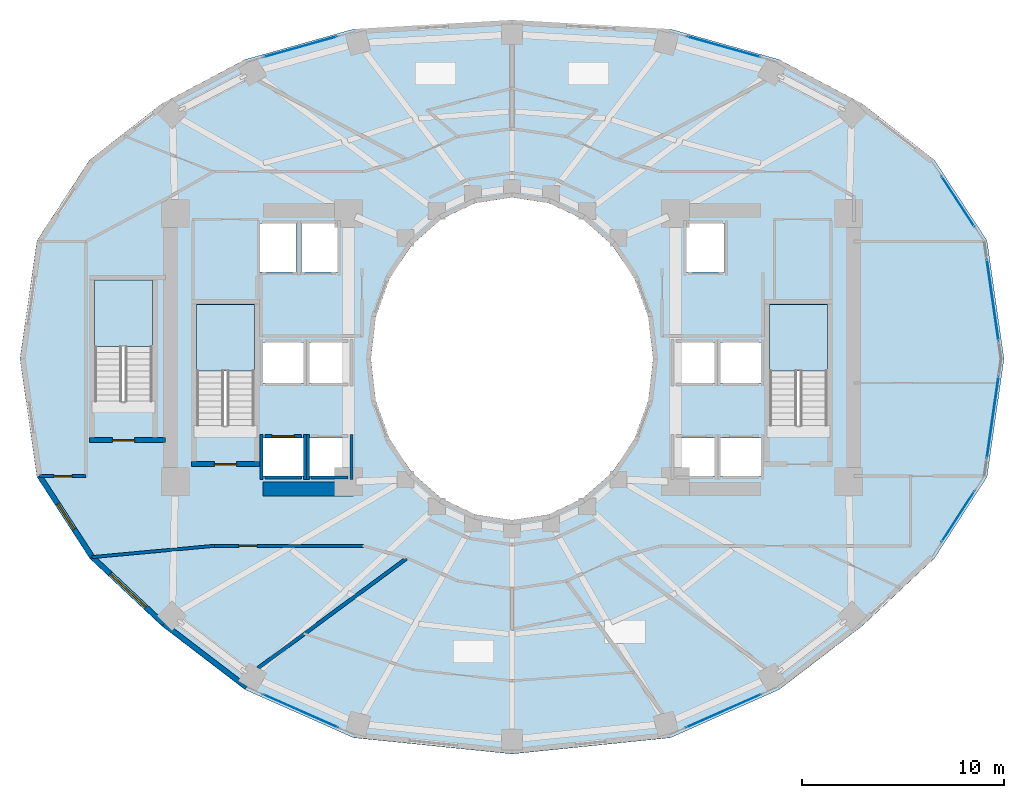
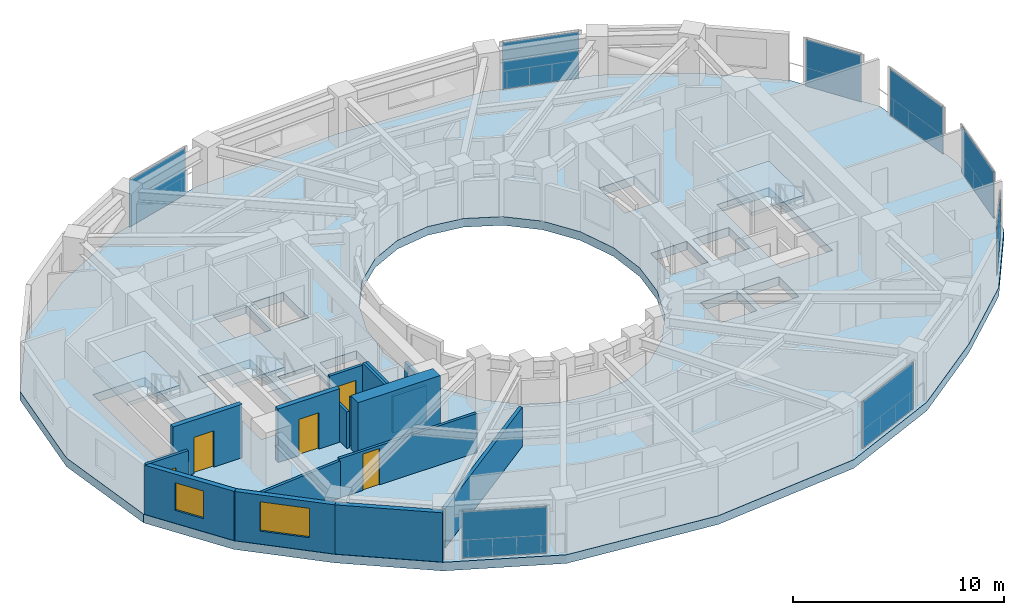
# One storey, part 10 of 18: 17 walls, 8 plates, 5 doors, 4 slabs, 2 windows, 7 openings, 11 elements without a shape of their own.
"""IFC4 building model written with IfcOpenShell, lengths in metres."""

from ifc_helpers import new_model, si_unit, direction, frame, frame_2d, origin, origin_2d, place, context, subcontext, project, spatial, polyline, rectangle, outline, extrude, material, layer, layer_set, type_object, element, fill, aggregate, save


model = new_model("IFC4")

# Units and contexts
model_context = context("Model", 3, precision=1e-05, world=origin(), true_north=direction((0.0, 1.0)))
body_context = subcontext(model_context, "Body", "Model", "MODEL_VIEW")
ifc_project = project(units=[si_unit("LENGTHUNIT", "METRE"), si_unit("AREAUNIT", "SQUARE_METRE"), si_unit("VOLUMEUNIT", "CUBIC_METRE"), si_unit("PLANEANGLEUNIT", "RADIAN"), si_unit("MASSUNIT", "GRAM", prefix="KILO")], contexts=[model_context])

# Site, building, storey
site_placement = place(None, origin())
site = spatial("IfcSite", under=ifc_project, at=site_placement, CompositionType="ELEMENT")
building_placement = place(site_placement, origin())
building = spatial("IfcBuilding", under=site, at=building_placement, Name="Solvane Sanctuary Tower", CompositionType="ELEMENT")
storey_placement = place(building_placement, frame((0.0, 0.0, 94.89990234375)))
storey = spatial("IfcBuildingStorey", under=building, at=storey_placement, Name="L28", CompositionType="ELEMENT", Elevation=94.89990234375)

# Curtain wall, plate
ifc_material_1 = material(Name="Anodised Aluminium 6063-T6", Category="aluminium")
ifc_layer_1 = layer(ifc_material_1, 0.2099609375, Name="Anodised Aluminium 6063-T6")
ifc_layer_set_1 = layer_set([ifc_layer_1], Name="Anodised Aluminium 6063-T6")
curtain_wall_type_1 = type_object("IfcCurtainWallType", Name="Curtain Wall CW-PORTAL", PredefinedType="NOTDEFINED", material=ifc_layer_set_1)
curtain_wall_1_placement = place(storey_placement, origin())
curtain_wall_1 = element("IfcCurtainWall", 1, at=curtain_wall_1_placement, inside=storey, type_object=curtain_wall_type_1, Name="L28 CW-PORTAL Facade Run 00", PredefinedType="NOTDEFINED")
ifc_material_2 = material(Name="Dark Ceramic-Fritted Low-E Glass", Category="glass")
ifc_layer_2 = layer(ifc_material_2, 0.031982421875, Name="Dark Ceramic-Fritted Low-E Glass")
ifc_layer_set_2 = layer_set([ifc_layer_2], Name="Dark Ceramic-Fritted Low-E Glass")
plate_type = type_object("IfcPlateType", Name="Plate PN-FRIT-VIS", PredefinedType="CURTAIN_PANEL", material=ifc_layer_set_2)
plate_1_placement = place(storey_placement, frame((55.8408203125, 25.909423828125, 0.065185546875), z_axis=(0.0, 0.0, 1.0), x_axis=(-0.142587151113, 0.989782250971, 0.0)))
plate_1 = element("IfcPlate", 2, at=plate_1_placement, type_object=plate_type, Name="CW-PORTAL panel 1.1", PredefinedType="CURTAIN_PANEL", context=body_context, shape_type="SweptSolid", body=[
    extrude(rectangle(XDim=4.0888671875, YDim=0.031982421875, at=origin_2d()), origin(), (0.0, 0.0, 1.0), 2.7099609375),
])
aggregate(curtain_wall_1, [plate_1])

curtain_wall_2_placement = place(storey_placement, origin())
curtain_wall_2 = element("IfcCurtainWall", 3, at=curtain_wall_2_placement, inside=storey, type_object=curtain_wall_type_1, Name="L28 CW-PORTAL Facade Run 01", PredefinedType="NOTDEFINED")
plate_2_placement = place(storey_placement, frame((54.12109375, 30.802490234375, 0.065185546875), z_axis=(0.0, 0.0, 1.0), x_axis=(-0.548275714249, 0.8362976391, 0.0)))
plate_2 = element("IfcPlate", 4, at=plate_2_placement, type_object=plate_type, Name="CW-PORTAL panel 1.1", PredefinedType="CURTAIN_PANEL", context=body_context, shape_type="SweptSolid", body=[
    extrude(rectangle(XDim=2.954345703125, YDim=0.031982421875, at=origin_2d()), origin(), (0.0, 0.0, 1.0), 2.7099609375),
])
aggregate(curtain_wall_2, [plate_2])

ifc_layer_3 = layer(ifc_material_1, 0.179931640625, Name="Anodised Aluminium 6063-T6")
ifc_layer_set_3 = layer_set([ifc_layer_3], Name="Anodised Aluminium 6063-T6")
curtain_wall_type_2 = type_object("IfcCurtainWallType", Name="Curtain Wall CW-FRIT-Z2", PredefinedType="NOTDEFINED", material=ifc_layer_set_3)
curtain_wall_3_placement = place(storey_placement, origin())
curtain_wall_3 = element("IfcCurtainWall", 5, at=curtain_wall_3_placement, inside=storey, type_object=curtain_wall_type_2, Name="L28 CW-FRIT-Z2 Facade Run 04", PredefinedType="NOTDEFINED")
plate_3_placement = place(storey_placement, frame((42.494873046875, 38.471435546875, 0.065185546875), z_axis=(0.0, 0.0, 1.0), x_axis=(-0.962943103308, 0.269704615814, 0.0)))
plate_3 = element("IfcPlate", 6, at=plate_3_placement, type_object=plate_type, Name="CW-FRIT-Z2 panel 1.1", PredefinedType="CURTAIN_PANEL", context=body_context, shape_type="SweptSolid", body=[
    extrude(rectangle(XDim=3.773193359375, YDim=0.031982421875, at=origin_2d()), origin(), (0.0, 0.0, 1.0), 2.7099609375),
])
aggregate(curtain_wall_3, [plate_3])

curtain_wall_4_placement = place(storey_placement, origin())
curtain_wall_4 = element("IfcCurtainWall", 7, at=curtain_wall_4_placement, inside=storey, type_object=curtain_wall_type_2, Name="L28 CW-FRIT-Z2 Facade Run 07", PredefinedType="NOTDEFINED")
plate_4_placement = place(storey_placement, frame((21.505126953125, 38.471435546875, 0.065185546875), z_axis=(0.0, 0.0, 1.0), x_axis=(-0.962943103308, -0.269704615814, 0.0)))
plate_4 = element("IfcPlate", 8, at=plate_4_placement, type_object=plate_type, Name="CW-FRIT-Z2 panel 1.1", PredefinedType="CURTAIN_PANEL", context=body_context, shape_type="SweptSolid", body=[
    extrude(rectangle(XDim=3.773193359375, YDim=0.031982421875, at=origin_2d()), origin(), (0.0, 0.0, 1.0), 2.7099609375),
])
aggregate(curtain_wall_4, [plate_4])

curtain_wall_5_placement = place(storey_placement, origin())
curtain_wall_5 = element("IfcCurtainWall", 9, at=curtain_wall_5_placement, inside=storey, type_object=curtain_wall_type_2, Name="L28 CW-FRIT-Z2 Facade Run 16", PredefinedType="NOTDEFINED")
plate_5_placement = place(storey_placement, frame((21.505126953125, 5.53564453125, 0.065185546875), z_axis=(0.0, 0.0, 1.0), x_axis=(0.914338607285, -0.404950504664, 0.0)))
plate_5 = element("IfcPlate", 10, at=plate_5_placement, type_object=plate_type, Name="CW-FRIT-Z2 panel 1.1", PredefinedType="CURTAIN_PANEL", context=body_context, shape_type="SweptSolid", body=[
    extrude(rectangle(XDim=4.06884765625, YDim=0.031982421875, at=origin_2d()), origin(), (0.0, 0.0, 1.0), 2.7099609375),
])
aggregate(curtain_wall_5, [plate_5])

curtain_wall_6_placement = place(storey_placement, origin())
curtain_wall_6 = element("IfcCurtainWall", 11, at=curtain_wall_6_placement, inside=storey, type_object=curtain_wall_type_2, Name="L28 CW-FRIT-Z2 Facade Run 19", PredefinedType="NOTDEFINED")
plate_6_placement = place(storey_placement, frame((42.494873046875, 5.53564453125, 0.065185546875), z_axis=(0.0, 0.0, 1.0), x_axis=(0.914338607285, 0.404950504664, 0.0)))
plate_6 = element("IfcPlate", 12, at=plate_6_placement, type_object=plate_type, Name="CW-FRIT-Z2 panel 1.1", PredefinedType="CURTAIN_PANEL", context=body_context, shape_type="SweptSolid", body=[
    extrude(rectangle(XDim=4.06884765625, YDim=0.031982421875, at=origin_2d()), origin(), (0.0, 0.0, 1.0), 2.7099609375),
])
aggregate(curtain_wall_6, [plate_6])

curtain_wall_7_placement = place(storey_placement, origin())
curtain_wall_7 = element("IfcCurtainWall", 13, at=curtain_wall_7_placement, inside=storey, type_object=curtain_wall_type_1, Name="L28 CW-PORTAL Facade Run 22", PredefinedType="NOTDEFINED")
plate_7_placement = place(storey_placement, frame((54.12109375, 15.17724609375, 0.065185546875), z_axis=(0.0, 0.0, 1.0), x_axis=(0.54437779134, 0.838840163735, 0.0)))
plate_7 = element("IfcPlate", 14, at=plate_7_placement, type_object=plate_type, Name="CW-PORTAL panel 1.1", PredefinedType="CURTAIN_PANEL", context=body_context, shape_type="SweptSolid", body=[
    extrude(rectangle(XDim=2.98828125, YDim=0.031982421875, at=origin_2d()), origin(), (0.0, 0.0, 1.0), 2.7099609375),
])
aggregate(curtain_wall_7, [plate_7])

curtain_wall_8_placement = place(storey_placement, origin())
curtain_wall_8 = element("IfcCurtainWall", 15, at=curtain_wall_8_placement, inside=storey, type_object=curtain_wall_type_1, Name="L28 CW-PORTAL Facade Run 23", PredefinedType="NOTDEFINED")
plate_8_placement = place(storey_placement, frame((55.8408203125, 20.090576171875, 0.065185546875), z_axis=(0.0, 0.0, 1.0), x_axis=(0.142587151113, 0.989782250971, 0.0)))
plate_8 = element("IfcPlate", 16, at=plate_8_placement, type_object=plate_type, Name="CW-PORTAL panel 1.1", PredefinedType="CURTAIN_PANEL", context=body_context, shape_type="SweptSolid", body=[
    extrude(rectangle(XDim=4.0888671875, YDim=0.031982421875, at=origin_2d()), origin(), (0.0, 0.0, 1.0), 2.7099609375),
])
aggregate(curtain_wall_8, [plate_8])

# Stair, slab
ifc_material_3 = material(Name="Concrete C45/55", Category="concrete")
stair_type = type_object("IfcStairType", Name="Stair ST-TOW", PredefinedType="HALF_TURN_STAIR", material=ifc_material_3)
stair_1_placement = place(storey_placement, origin())
stair_1 = element("IfcStair", 17, at=stair_1_placement, inside=storey, type_object=stair_type, Name="L28 Exit Stair ST-1 West Core", PredefinedType="HALF_TURN_STAIR")
ifc_layer_4 = layer(ifc_material_3, 0.199951171875, Name="Concrete C45/55")
ifc_layer_set_4 = layer_set([ifc_layer_4], Name="Concrete C45/55")
slab_type_1 = type_object("IfcSlabType", Name="Slab SL-LAND-180", PredefinedType="LANDING", material=ifc_layer_set_4)
slab_1_placement = place(storey_placement, frame((0.0, 0.0, 1.35009765625)))
slab_1 = element("IfcSlab", 18, at=slab_1_placement, type_object=slab_type_1, Name="ST-1 landing 1", PredefinedType="LANDING", context=body_context, shape_type="SweptSolid", body=[
    extrude(outline(polyline([(19.219970703125, 22.39990234375), (19.219970703125, 25.699951171875), (16.360107421875, 25.699951171875), (16.360107421875, 22.39990234375), (19.219970703125, 22.39990234375)])), origin(), (0.0, 0.0, 1.0), 0.199951171875),
])
aggregate(stair_1, [slab_1])

stair_2_placement = place(storey_placement, origin())
stair_2 = element("IfcStair", 19, at=stair_2_placement, inside=storey, type_object=stair_type, Name="L28 Exit Stair ST-2 East Core", PredefinedType="HALF_TURN_STAIR")
slab_2_placement = place(storey_placement, frame((0.0, 0.0, 1.35009765625)))
slab_2 = element("IfcSlab", 20, at=slab_2_placement, type_object=slab_type_1, Name="ST-2 landing 1", PredefinedType="LANDING", context=body_context, shape_type="SweptSolid", body=[
    extrude(outline(polyline([(47.639892578125, 22.39990234375), (47.639892578125, 25.699951171875), (44.780029296875, 25.699951171875), (44.780029296875, 22.39990234375), (47.639892578125, 22.39990234375)])), origin(), (0.0, 0.0, 1.0), 0.199951171875),
])
aggregate(stair_2, [slab_2])

stair_3_placement = place(storey_placement, origin())
stair_3 = element("IfcStair", 21, at=stair_3_placement, inside=storey, type_object=stair_type, Name="L28 Exit Stair ST-3 Pilgrim Tower Stair", PredefinedType="HALF_TURN_STAIR")
slab_3_placement = place(storey_placement, frame((0.0, 0.0, 1.35009765625)))
slab_3 = element("IfcSlab", 22, at=slab_3_placement, type_object=slab_type_1, Name="ST-3 landing 1", PredefinedType="LANDING", context=body_context, shape_type="SweptSolid", body=[
    extrude(outline(polyline([(14.159912109375, 23.60009765625), (14.159912109375, 26.89990234375), (11.300048828125, 26.89990234375), (11.300048828125, 23.60009765625), (14.159912109375, 23.60009765625)])), origin(), (0.0, 0.0, 1.0), 0.199951171875),
])
aggregate(stair_3, [slab_3])

# Slab
ifc_material_4 = material(Name="Concrete C60/75", Category="concrete")
ifc_layer_5 = layer(ifc_material_4, 0.5, Name="Concrete C60/75")
ifc_layer_set_5 = layer_set([ifc_layer_5], Name="Concrete C60/75")
slab_type_2 = type_object("IfcSlabType", Name="Slab SL-XFER-500", PredefinedType="FLOOR", material=ifc_layer_set_5)
slab_4_placement = place(storey_placement, frame((0.0, 0.0, -0.5)))
element("IfcSlab", 23, at=slab_4_placement, inside=storey, type_object=slab_type_2, Name="L28 Primary Structural Slab", PredefinedType="FLOOR", context=body_context, shape_type="SweptSolid", body=[
    extrude(outline(polyline([(56.39990234375, 23.0), (55.556884765625, 28.86376953125), (52.94091796875, 32.8623046875), (49.365478515625, 35.650390625), (45.249267578125, 37.83544921875), (39.861328125, 39.347412109375), (32.0, 39.800048828125), (24.138671875, 39.347412109375), (18.750732421875, 37.83544921875), (14.634521484375, 35.650390625), (11.05908203125, 32.8623046875), (8.443115234375, 28.86376953125), (7.60009765625, 23.0), (8.443115234375, 17.13623046875), (11.05908203125, 13.096923828125), (14.634521484375, 9.744873046875), (18.750732421875, 6.595703125), (24.138671875, 4.204833984375), (32.0, 3.39990234375), (39.861328125, 4.204833984375), (45.249267578125, 6.595703125), (49.365478515625, 9.744873046875), (52.94091796875, 13.096923828125), (55.556884765625, 17.13623046875), (56.39990234375, 23.0)]), holes=[polyline([(38.761474609375, 20.929443359375), (38.062255859375, 19.0), (36.94970703125, 17.343017578125), (35.5, 16.07177734375), (33.811767578125, 15.272705078125), (32.0, 15.0), (30.188232421875, 15.272705078125), (28.5, 16.07177734375), (27.05029296875, 17.343017578125), (25.937744140625, 19.0), (25.238525390625, 20.929443359375), (25.0, 23.0), (25.238525390625, 25.070556640625), (25.937744140625, 27.0), (27.05029296875, 28.656982421875), (28.5, 29.92822265625), (30.188232421875, 30.727294921875), (32.0, 31.0), (33.811767578125, 30.727294921875), (35.5, 29.92822265625), (36.94970703125, 28.656982421875), (38.062255859375, 27.0), (38.761474609375, 25.070556640625), (39.0, 23.0), (38.761474609375, 20.929443359375)]), polyline([(16.360107421875, 19.699951171875), (16.360107421875, 25.699951171875), (19.219970703125, 25.699951171875), (19.219970703125, 19.699951171875), (16.360107421875, 19.699951171875)]), polyline([(44.780029296875, 19.699951171875), (44.780029296875, 25.699951171875), (47.639892578125, 25.699951171875), (47.639892578125, 19.699951171875), (44.780029296875, 19.699951171875)]), polyline([(11.300048828125, 20.89990234375), (11.300048828125, 26.89990234375), (14.159912109375, 26.89990234375), (14.159912109375, 20.89990234375), (11.300048828125, 20.89990234375)]), polyline([(19.64990234375, 19.080078125), (21.64990234375, 19.080078125), (21.64990234375, 17.179931640625), (19.64990234375, 17.179931640625), (19.64990234375, 19.080078125)]), polyline([(21.949951171875, 19.080078125), (23.949951171875, 19.080078125), (23.949951171875, 17.179931640625), (21.949951171875, 17.179931640625), (21.949951171875, 19.080078125)]), polyline([(40.050048828125, 19.080078125), (42.050048828125, 19.080078125), (42.050048828125, 17.179931640625), (40.050048828125, 17.179931640625), (40.050048828125, 19.080078125)]), polyline([(42.35009765625, 19.080078125), (44.35009765625, 19.080078125), (44.35009765625, 17.179931640625), (42.35009765625, 17.179931640625), (42.35009765625, 19.080078125)]), polyline([(19.64990234375, 23.800048828125), (21.64990234375, 23.800048828125), (21.64990234375, 21.800048828125), (19.64990234375, 21.800048828125), (19.64990234375, 23.800048828125)]), polyline([(42.35009765625, 23.800048828125), (44.35009765625, 23.800048828125), (44.35009765625, 21.800048828125), (42.35009765625, 21.800048828125), (42.35009765625, 23.800048828125)]), polyline([(21.949951171875, 23.800048828125), (23.949951171875, 23.800048828125), (23.949951171875, 21.800048828125), (21.949951171875, 21.800048828125), (21.949951171875, 23.800048828125)]), polyline([(40.050048828125, 23.800048828125), (42.050048828125, 23.800048828125), (42.050048828125, 21.800048828125), (40.050048828125, 21.800048828125), (40.050048828125, 23.800048828125)]), polyline([(19.5, 29.699951171875), (21.300048828125, 29.699951171875), (21.300048828125, 27.300048828125), (19.5, 27.300048828125), (19.5, 29.699951171875)]), polyline([(21.550048828125, 29.699951171875), (23.35009765625, 29.699951171875), (23.35009765625, 27.300048828125), (21.550048828125, 27.300048828125), (21.550048828125, 29.699951171875)]), polyline([(40.64990234375, 29.699951171875), (42.550048828125, 29.699951171875), (42.550048828125, 27.300048828125), (40.64990234375, 27.300048828125), (40.64990234375, 29.699951171875)])]), origin(), (0.0, 0.0, 1.0), 0.5),
])

# Wall
ifc_layer_6 = layer(ifc_material_4, 0.699951171875, Name="Concrete C60/75")
ifc_layer_set_6 = layer_set([ifc_layer_6], Name="Concrete C60/75")
wall_type_1 = type_object("IfcWallType", Name="Wall W-CORE-700", PredefinedType="SHEAR", material=ifc_layer_set_6)
wall_1_placement = place(storey_placement, frame((19.64990234375, 16.550048828125, 0.0), z_axis=(0.0, 0.0, 1.0), x_axis=(1.0, 0.0, 0.0)))
element("IfcWall", 24, at=wall_1_placement, inside=storey, type_object=wall_type_1, Name="L28 Core Shear Wall WC-S", PredefinedType="SHEAR", context=body_context, shape_type="SweptSolid", body=[
    extrude(rectangle(XDim=4.5, YDim=0.699951171875, at=frame_2d((2.25, 0.0))), origin(), (0.0, 0.0, 1.0), 3.10009765625),
])

# Wall, opening, door
ifc_material_5 = material(Name="Acoustic Gypsum Partition Board")
ifc_layer_7 = layer(ifc_material_5, 0.14990234375, Name="Acoustic Gypsum Partition Board")
ifc_layer_set_7 = layer_set([ifc_layer_7], Name="Acoustic Gypsum Partition Board")
wall_type_2 = type_object("IfcWallType", Name="Wall W-CORR-150", PredefinedType="PARTITIONING", material=ifc_layer_set_7)
wall_2_placement = place(storey_placement, frame((8.558349609375, 17.1748046875, 0.0), z_axis=(0.0, 0.0, 1.0), x_axis=(1.0, 0.0, 0.0)))
wall_2 = element("IfcWall", 25, at=wall_2_placement, inside=storey, type_object=wall_type_2, Name="L28 West Shoulder South Wall", PredefinedType="PARTITIONING", context=body_context, shape_type="SweptSolid", body=[
    extrude(rectangle(XDim=2.321533203125, YDim=0.14990234375, at=frame_2d((1.16064453125, 0.0))), origin(), (0.0, 0.0, 1.0), 2.85498046875),
])
opening_1_placement = place(wall_2_placement, frame((0.73095703125, 0.0, 0.0)))
opening_1 = element("IfcOpeningElement", 26, at=opening_1_placement, cuts=wall_2, Name="Opening D-L28-10", PredefinedType="OPENING", context=body_context, shape_type="SweptSolid", body=[
    extrude(rectangle(XDim=0.89990234375, YDim=2.10009765625, at=frame_2d((0.449951171875, 1.050048828125))), frame((0.0, 0.0849609375, 0.0), z_axis=(0.0, -1.0, 0.0), x_axis=(1.0, 0.0, 0.0)), (0.0, 0.0, 1.0), 0.169921875),
])
ifc_material_6 = material(Name="Engineered Tropical Hardwood", Category="wood")
door_type_1 = type_object("IfcDoorType", Name="Door D-WET-900", OperationType="NOTDEFINED", PredefinedType="DOOR", material=ifc_material_6)
door_1_placement = place(opening_1_placement, origin())
door_1 = element("IfcDoor", 27, at=door_1_placement, inside=storey, type_object=door_type_1, Name="L28 West Shoulder South Door", OperationType="SINGLE_SWING_LEFT", OverallHeight=2.10009765625, OverallWidth=0.89990234375, PredefinedType="DOOR", context=body_context, shape_type="SweptSolid", body=[
    extrude(rectangle(XDim=0.89990234375, YDim=2.10009765625, at=frame_2d((0.449951171875, 1.050048828125))), frame((0.0, 0.02490234375, 0.0), z_axis=(0.0, -1.0, 0.0), x_axis=(1.0, 0.0, 0.0)), (0.0, 0.0, 1.0), 0.050048828125),
])
fill(opening_1, door_1)

wall_3_placement = place(storey_placement, frame((17.14990234375, 13.719970703125, 0.0), z_axis=(0.0, 0.0, 1.0), x_axis=(1.0, 0.0, 0.0)))
wall_3 = element("IfcWall", 28, at=wall_3_placement, inside=storey, type_object=wall_type_2, Name="L28 SW Corner Corridor Wall", PredefinedType="PARTITIONING", context=body_context, shape_type="SweptSolid", body=[
    extrude(rectangle(XDim=7.52001953125, YDim=0.14990234375, at=frame_2d((3.760009765625, 0.0))), origin(), (0.0, 0.0, 1.0), 2.272216796875),
])
opening_2_placement = place(wall_3_placement, frame((1.300048828125, 0.0, 0.0)))
opening_2 = element("IfcOpeningElement", 29, at=opening_2_placement, cuts=wall_3, Name="Opening D-L28-14", PredefinedType="OPENING", context=body_context, shape_type="SweptSolid", body=[
    extrude(rectangle(XDim=0.89990234375, YDim=2.10009765625, at=frame_2d((0.449951171875, 1.050048828125))), frame((0.0, 0.0849609375, 0.0), z_axis=(0.0, -1.0, 0.0), x_axis=(1.0, 0.0, 0.0)), (0.0, 0.0, 1.0), 0.169921875),
])
door_2_placement = place(opening_2_placement, origin())
door_2 = element("IfcDoor", 30, at=door_2_placement, inside=storey, type_object=door_type_1, Name="L28 SW Corner Salon Door", OperationType="SINGLE_SWING_LEFT", OverallHeight=2.10009765625, OverallWidth=0.89990234375, PredefinedType="DOOR", context=body_context, shape_type="SweptSolid", body=[
    extrude(rectangle(XDim=0.89990234375, YDim=2.10009765625, at=frame_2d((0.449951171875, 1.050048828125))), frame((0.0, 0.02490234375, 0.0), z_axis=(0.0, -1.0, 0.0), x_axis=(1.0, 0.0, 0.0)), (0.0, 0.0, 1.0), 0.050048828125),
])
fill(opening_2, door_2)

# Wall
wall_4_placement = place(storey_placement, frame((17.249755859375, 13.724609375, 0.0), z_axis=(0.0, 0.0, 1.0), x_axis=(-0.995748209098, -0.092116795851, 0.0)))
element("IfcWall", 31, at=wall_4_placement, inside=storey, type_object=wall_type_2, Name="L28 SW Corner Wing Wall", PredefinedType="PARTITIONING", context=body_context, shape_type="SweptSolid", body=[
    extrude(rectangle(XDim=6.111572265625, YDim=0.14990234375, at=frame_2d((3.0556640625, 0.0))), origin(), (0.0, 0.0, 1.0), 2.14208984375),
])

# Wall, opening, window
ifc_material_7 = material(Name="Precast concrete C40/50", Category="concrete")
ifc_layer_8 = layer(ifc_material_7, 0.260009765625, Name="Precast concrete C40/50")
ifc_layer_set_8 = layer_set([ifc_layer_8], Name="Precast concrete C40/50")
wall_type_3 = type_object("IfcWallType", Name="Wall W-EXT-250", PredefinedType="STANDARD", material=ifc_layer_set_8)
wall_5_placement = place(storey_placement, frame((8.578125, 17.181396484375, 0.0), z_axis=(0.0, 0.0, 1.0), x_axis=(0.544388392991, -0.838833283541, 0.0)))
wall_5 = element("IfcWall", 32, at=wall_5_placement, inside=storey, type_object=wall_type_3, Name="L28 Ceramic-Printed Facade Wall 13", PredefinedType="STANDARD", context=body_context, shape_type="SweptSolid", body=[
    extrude(rectangle(XDim=4.7783203125, YDim=0.260009765625, at=frame_2d((2.38916015625, 0.0))), origin(), (0.0, 0.0, 1.0), 2.85009765625),
])
opening_3_placement = place(wall_5_placement, frame((1.63916015625, 0.0, 0.75)))
opening_3 = element("IfcOpeningElement", 33, at=opening_3_placement, cuts=wall_5, Name="Opening WN-OPER-1500", PredefinedType="OPENING", context=body_context, shape_type="SweptSolid", body=[
    extrude(rectangle(XDim=1.5, YDim=1.60009765625, at=frame_2d((0.75, 0.800048828125))), frame((0.0, 0.139892578125, 0.0), z_axis=(0.0, -1.0, 0.0), x_axis=(1.0, 0.0, 0.0)), (0.0, 0.0, 1.0), 0.280029296875),
])
window_type_1 = type_object("IfcWindowType", Name="Window WN-OPER-1500", PartitioningType="SINGLE_PANEL", PredefinedType="WINDOW", material=ifc_material_2)
window_1_placement = place(opening_3_placement, origin())
window_1 = element("IfcWindow", 34, at=window_1_placement, inside=storey, type_object=window_type_1, Name="L28 Operable Facade Window 13", OverallHeight=1.60009765625, OverallWidth=1.5, PartitioningType="SINGLE_PANEL", PredefinedType="WINDOW", context=body_context, shape_type="SweptSolid", body=[
    extrude(rectangle(XDim=1.5, YDim=1.60009765625, at=frame_2d((0.75, 0.800048828125))), frame((0.0, 0.030029296875, 0.0), z_axis=(0.0, -1.0, 0.0), x_axis=(1.0, 0.0, 0.0)), (0.0, 0.0, 1.0), 0.06005859375),
])
fill(opening_3, window_1)

wall_6_placement = place(storey_placement, frame((11.179443359375, 13.173095703125, 0.0), z_axis=(0.0, 0.0, 1.0), x_axis=(0.730162452258, -0.68327358599, 0.0)))
wall_6 = element("IfcWall", 35, at=wall_6_placement, inside=storey, type_object=wall_type_3, Name="L28 Ceramic-Printed Facade Wall 14", PredefinedType="STANDARD", context=body_context, shape_type="SweptSolid", body=[
    extrude(rectangle(XDim=4.868408203125, YDim=0.260009765625, at=frame_2d((2.43408203125, 0.0))), origin(), (0.0, 0.0, 1.0), 2.85009765625),
])
opening_4_placement = place(wall_6_placement, frame((1.234130859375, 0.0, 0.75)))
opening_4 = element("IfcOpeningElement", 36, at=opening_4_placement, cuts=wall_6, Name="Opening WN-RIB-2400", PredefinedType="OPENING", context=body_context, shape_type="SweptSolid", body=[
    extrude(rectangle(XDim=2.39990234375, YDim=1.699951171875, at=frame_2d((1.199951171875, 0.85009765625))), frame((0.0, 0.139892578125, 0.0), z_axis=(0.0, -1.0, 0.0), x_axis=(1.0, 0.0, 0.0)), (0.0, 0.0, 1.0), 0.280029296875),
])
window_type_2 = type_object("IfcWindowType", Name="Window WN-RIB-2400", PartitioningType="SINGLE_PANEL", PredefinedType="WINDOW", material=ifc_material_2)
window_2_placement = place(opening_4_placement, origin())
window_2 = element("IfcWindow", 37, at=window_2_placement, inside=storey, type_object=window_type_2, Name="L28 Operable Facade Window 14", OverallHeight=1.699951171875, OverallWidth=2.39990234375, PartitioningType="SINGLE_PANEL", PredefinedType="WINDOW", context=body_context, shape_type="SweptSolid", body=[
    extrude(rectangle(XDim=2.39990234375, YDim=1.699951171875, at=frame_2d((1.199951171875, 0.85009765625))), frame((0.0, 0.030029296875, 0.0), z_axis=(0.0, -1.0, 0.0), x_axis=(1.0, 0.0, 0.0)), (0.0, 0.0, 1.0), 0.06005859375),
])
fill(opening_4, window_2)

# Wall
wall_7_placement = place(storey_placement, frame((14.734130859375, 9.8466796875, 0.0), z_axis=(0.0, 0.0, 1.0), x_axis=(0.794809810864, -0.606858603427, 0.0)))
element("IfcWall", 38, at=wall_7_placement, inside=storey, type_object=wall_type_3, Name="L28 Ceramic-Printed Facade Wall 15", PredefinedType="STANDARD", context=body_context, shape_type="SweptSolid", body=[
    extrude(rectangle(XDim=5.149169921875, YDim=0.260009765625, at=frame_2d((2.57470703125, 0.0))), origin(), (0.0, 0.0, 1.0), 2.85009765625),
])

# Wall, opening, door
ifc_material_8 = material(Name="Concrete C50/60", Category="concrete")
ifc_layer_9 = layer(ifc_material_8, 0.14990234375, Name="Concrete C50/60")
ifc_layer_set_9 = layer_set([ifc_layer_9], Name="Concrete C50/60")
wall_type_4 = type_object("IfcWallType", Name="Wall W-SHAFT-150", PredefinedType="SOLIDWALL", material=ifc_layer_set_9)
wall_8_placement = place(storey_placement, frame((19.739990234375, 19.159912109375, 0.0), z_axis=(0.0, 0.0, 1.0), x_axis=(1.0, 0.0, 0.0)))
wall_8 = element("IfcWall", 39, at=wall_8_placement, inside=storey, type_object=wall_type_4, Name="L28 PL-1 Lift Shaft Wall F", PredefinedType="SOLIDWALL", context=body_context, shape_type="SweptSolid", body=[
    extrude(rectangle(XDim=1.820068359375, YDim=0.14990234375, at=frame_2d((0.91015625, 0.0))), origin(), (0.0, 0.0, 1.0), 2.85498046875),
])
opening_5_placement = place(wall_8_placement, frame((0.360107421875, 0.0, 0.0)))
opening_5 = element("IfcOpeningElement", 40, at=opening_5_placement, cuts=wall_8, Name="Opening LD-L28-01", PredefinedType="OPENING", context=body_context, shape_type="SweptSolid", body=[
    extrude(rectangle(XDim=1.10009765625, YDim=2.10009765625, at=frame_2d((0.550048828125, 1.050048828125))), frame((0.0, 0.0849609375, 0.0), z_axis=(0.0, -1.0, 0.0), x_axis=(1.0, 0.0, 0.0)), (0.0, 0.0, 1.0), 0.169921875),
])
ifc_material_9 = material(Name="Architectural Stainless Steel 316", Category="steel")
door_type_2 = type_object("IfcDoorType", Name="Door LD-PASS-1100", OperationType="NOTDEFINED", PredefinedType="DOOR", material=ifc_material_9)
door_3_placement = place(opening_5_placement, origin())
door_3 = element("IfcDoor", 41, at=door_3_placement, inside=storey, type_object=door_type_2, Name="L28 PL-1 Lift Landing Door", OperationType="DOUBLE_DOOR_SLIDING", OverallHeight=2.10009765625, OverallWidth=1.10009765625, PredefinedType="DOOR", context=body_context, shape_type="SweptSolid", body=[
    extrude(rectangle(XDim=1.10009765625, YDim=2.10009765625, at=frame_2d((0.550048828125, 1.050048828125))), frame((0.0, 0.02490234375, 0.0), z_axis=(0.0, -1.0, 0.0), x_axis=(1.0, 0.0, 0.0)), (0.0, 0.0, 1.0), 0.050048828125),
])
fill(opening_5, door_3)

# Walls
wall_9_placement = place(storey_placement, frame((19.739990234375, 17.10009765625, 0.0), z_axis=(0.0, 0.0, 1.0), x_axis=(1.0, 0.0, 0.0)))
element("IfcWall", 42, at=wall_9_placement, inside=storey, type_object=wall_type_4, Name="L28 PL-1 Lift Shaft Wall B", PredefinedType="SOLIDWALL", context=body_context, shape_type="SweptSolid", body=[
    extrude(rectangle(XDim=1.820068359375, YDim=0.14990234375, at=frame_2d((0.91015625, 0.0))), origin(), (0.0, 0.0, 1.0), 2.85498046875),
])
wall_10_placement = place(storey_placement, frame((19.570068359375, 17.02001953125, 0.0), z_axis=(0.0, 0.0, 1.0), x_axis=(0.0, 1.0, 0.0)))
element("IfcWall", 43, at=wall_10_placement, inside=storey, type_object=wall_type_4, Name="L28 PL-1 Lift Shaft Wall S1", PredefinedType="SOLIDWALL", context=body_context, shape_type="SweptSolid", body=[
    extrude(rectangle(XDim=2.219970703125, YDim=0.14990234375, at=frame_2d((1.10986328125, 0.0))), origin(), (0.0, 0.0, 1.0), 2.1201171875),
])
wall_11_placement = place(storey_placement, frame((21.72998046875, 17.02001953125, 0.0), z_axis=(0.0, 0.0, 1.0), x_axis=(0.0, 1.0, 0.0)))
element("IfcWall", 44, at=wall_11_placement, inside=storey, type_object=wall_type_4, Name="L28 PL-1 Lift Shaft Wall S2", PredefinedType="SOLIDWALL", context=body_context, shape_type="SweptSolid", body=[
    extrude(rectangle(XDim=2.219970703125, YDim=0.14990234375, at=frame_2d((1.10986328125, 0.0))), origin(), (0.0, 0.0, 1.0), 2.85498046875),
])
wall_12_placement = place(storey_placement, frame((22.0400390625, 17.10009765625, 0.0), z_axis=(0.0, 0.0, 1.0), x_axis=(1.0, 0.0, 0.0)))
element("IfcWall", 45, at=wall_12_placement, inside=storey, type_object=wall_type_4, Name="L28 PL-2 Lift Shaft Wall B", PredefinedType="SOLIDWALL", context=body_context, shape_type="SweptSolid", body=[
    extrude(rectangle(XDim=1.820068359375, YDim=0.14990234375, at=frame_2d((0.91015625, 0.0))), origin(), (0.0, 0.0, 1.0), 2.1201171875),
])
wall_13_placement = place(storey_placement, frame((21.8701171875, 17.02001953125, 0.0), z_axis=(0.0, 0.0, 1.0), x_axis=(0.0, 1.0, 0.0)))
element("IfcWall", 46, at=wall_13_placement, inside=storey, type_object=wall_type_4, Name="L28 PL-2 Lift Shaft Wall S1", PredefinedType="SOLIDWALL", context=body_context, shape_type="SweptSolid", body=[
    extrude(rectangle(XDim=2.219970703125, YDim=0.14990234375, at=frame_2d((1.10986328125, 0.0))), origin(), (0.0, 0.0, 1.0), 2.85498046875),
])
wall_14_placement = place(storey_placement, frame((24.030029296875, 17.02001953125, 0.0), z_axis=(0.0, 0.0, 1.0), x_axis=(0.0, 1.0, 0.0)))
element("IfcWall", 47, at=wall_14_placement, inside=storey, type_object=wall_type_4, Name="L28 PL-2 Lift Shaft Wall S2", PredefinedType="SOLIDWALL", context=body_context, shape_type="SweptSolid", body=[
    extrude(rectangle(XDim=2.219970703125, YDim=0.14990234375, at=frame_2d((1.10986328125, 0.0))), origin(), (0.0, 0.0, 1.0), 2.1201171875),
])

# Wall, opening, door
ifc_layer_10 = layer(ifc_material_8, 0.25, Name="Concrete C50/60")
ifc_layer_set_10 = layer_set([ifc_layer_10], Name="Concrete C50/60")
wall_type_5 = type_object("IfcWallType", Name="Wall W-SHAFT-250", PredefinedType="SOLIDWALL", material=ifc_layer_set_10)
wall_15_placement = place(storey_placement, frame((16.10498046875, 17.77001953125, 0.0), z_axis=(0.0, 0.0, 1.0), x_axis=(1.0, 0.0, 0.0)))
wall_15 = element("IfcWall", 48, at=wall_15_placement, inside=storey, type_object=wall_type_5, Name="L28 ST-1 Load-Bearing Shaft Wall S", PredefinedType="SOLIDWALL", context=body_context, shape_type="SweptSolid", body=[
    extrude(rectangle(XDim=3.3701171875, YDim=0.25, at=frame_2d((1.68505859375, 0.0))), origin(), (0.0, 0.0, 1.0), 3.10009765625),
])
opening_6_placement = place(wall_15_placement, frame((1.135009765625, 0.0, 0.0)))
opening_6 = element("IfcOpeningElement", 49, at=opening_6_placement, cuts=wall_15, Name="Opening D-L28-01", PredefinedType="OPENING", context=body_context, shape_type="SweptSolid", body=[
    extrude(rectangle(XDim=1.10009765625, YDim=2.10009765625, at=frame_2d((0.550048828125, 1.050048828125))), frame((0.0, 0.135009765625, 0.0), z_axis=(0.0, -1.0, 0.0), x_axis=(1.0, 0.0, 0.0)), (0.0, 0.0, 1.0), 0.27001953125),
])
door_type_3 = type_object("IfcDoorType", Name="Door D-STAIR", OperationType="NOTDEFINED", PredefinedType="DOOR", material=ifc_material_9)
door_4_placement = place(opening_6_placement, origin())
door_4 = element("IfcDoor", 50, at=door_4_placement, inside=storey, type_object=door_type_3, Name="L28 ST-1 Exit Stair Fire Door", OperationType="SINGLE_SWING_RIGHT", OverallHeight=2.10009765625, OverallWidth=1.10009765625, PredefinedType="DOOR", context=body_context, shape_type="SweptSolid", body=[
    extrude(rectangle(XDim=1.10009765625, YDim=2.10009765625, at=frame_2d((0.550048828125, 1.050048828125))), frame((0.0, 0.02490234375, 0.0), z_axis=(0.0, -1.0, 0.0), x_axis=(1.0, 0.0, 0.0)), (0.0, 0.0, 1.0), 0.050048828125),
])
fill(opening_6, door_4)

wall_16_placement = place(storey_placement, frame((11.044921875, 18.969970703125, 0.0), z_axis=(0.0, 0.0, 1.0), x_axis=(1.0, 0.0, 0.0)))
wall_16 = element("IfcWall", 51, at=wall_16_placement, inside=storey, type_object=wall_type_5, Name="L28 ST-3 Load-Bearing Shaft Wall S", PredefinedType="SOLIDWALL", context=body_context, shape_type="SweptSolid", body=[
    extrude(rectangle(XDim=3.781982421875, YDim=0.25, at=frame_2d((1.89111328125, 0.0))), origin(), (0.0, 0.0, 1.0), 3.10009765625),
])
opening_7_placement = place(wall_16_placement, frame((1.135009765625, 0.0, 0.0)))
opening_7 = element("IfcOpeningElement", 52, at=opening_7_placement, cuts=wall_16, Name="Opening D-L28-03", PredefinedType="OPENING", context=body_context, shape_type="SweptSolid", body=[
    extrude(rectangle(XDim=1.10009765625, YDim=2.10009765625, at=frame_2d((0.550048828125, 1.050048828125))), frame((0.0, 0.135009765625, 0.0), z_axis=(0.0, -1.0, 0.0), x_axis=(1.0, 0.0, 0.0)), (0.0, 0.0, 1.0), 0.27001953125),
])
door_5_placement = place(opening_7_placement, origin())
door_5 = element("IfcDoor", 53, at=door_5_placement, inside=storey, type_object=door_type_3, Name="L28 ST-3 Exit Stair Fire Door", OperationType="SINGLE_SWING_RIGHT", OverallHeight=2.10009765625, OverallWidth=1.10009765625, PredefinedType="DOOR", context=body_context, shape_type="SweptSolid", body=[
    extrude(rectangle(XDim=1.10009765625, YDim=2.10009765625, at=frame_2d((0.550048828125, 1.050048828125))), frame((0.0, 0.02490234375, 0.0), z_axis=(0.0, -1.0, 0.0), x_axis=(1.0, 0.0, 0.0)), (0.0, 0.0, 1.0), 0.050048828125),
])
fill(opening_7, door_5)

# Wall
ifc_layer_11 = layer(ifc_material_5, 0.179931640625, Name="Acoustic Gypsum Partition Board")
ifc_layer_set_11 = layer_set([ifc_layer_11], Name="Acoustic Gypsum Partition Board")
wall_type_6 = type_object("IfcWallType", Name="Wall W-UNIT-180", PredefinedType="PARTITIONING", material=ifc_layer_set_11)
wall_17_placement = place(storey_placement, frame((26.750732421875, 13.0859375, 0.0), z_axis=(0.0, 0.0, 1.0), x_axis=(-0.80430981394, -0.594210167533, 0.0)))
element("IfcWall", 54, at=wall_17_placement, inside=storey, type_object=wall_type_6, Name="L28 Radial Compartment Wall 240", PredefinedType="PARTITIONING", context=body_context, shape_type="SweptSolid", body=[
    extrude(rectangle(XDim=9.146240234375, YDim=0.179931640625, at=frame_2d((4.5732421875, 0.0))), origin(), (0.0, 0.0, 1.0), 2.272216796875),
])

save(model, "model.ifc")
